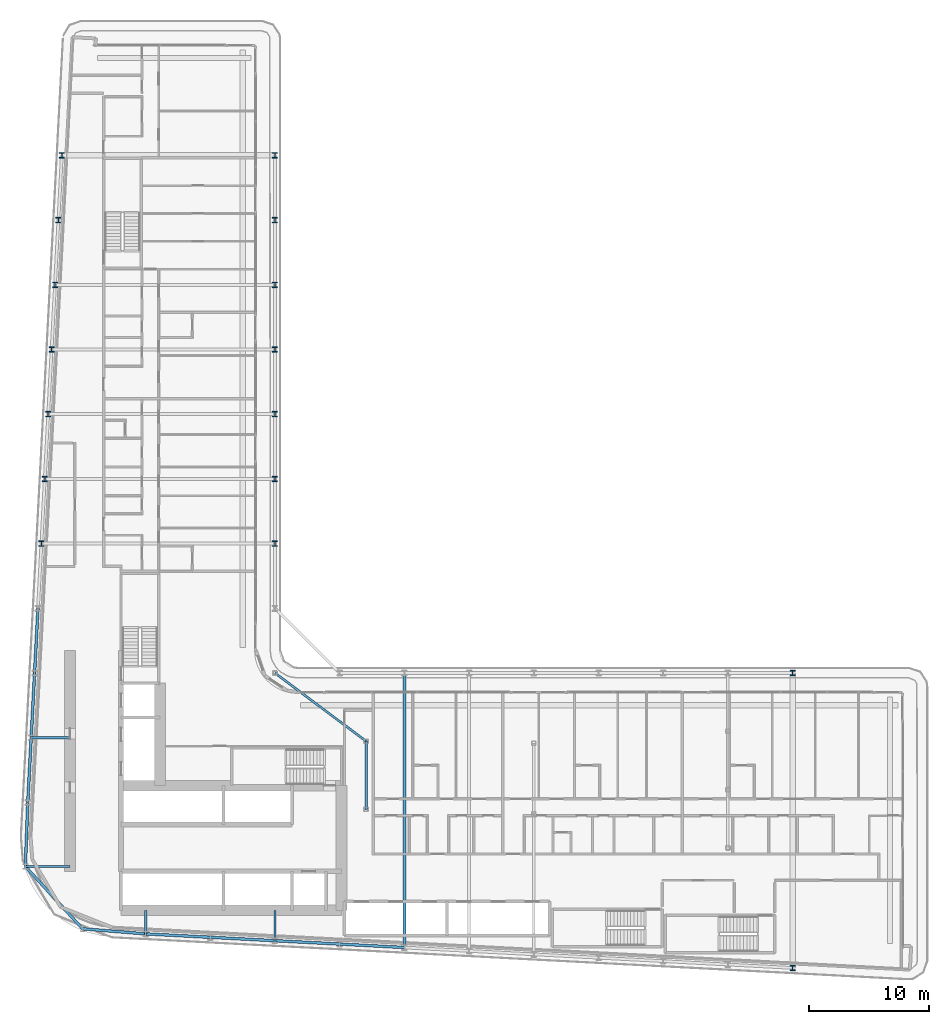
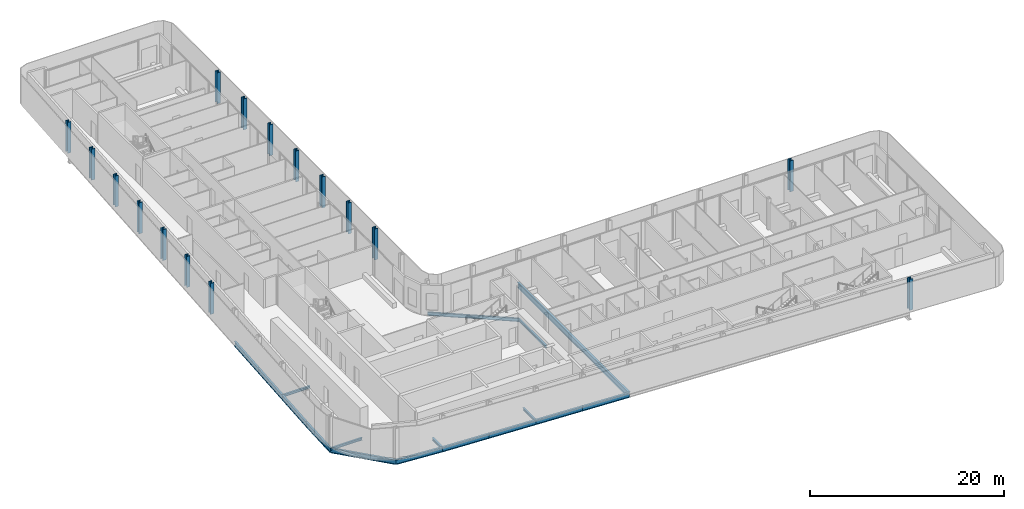
# One storey, part 3 of 29: 17 beams, 16 columns.
"""IFC4 building model written with IfcOpenShell, lengths in metres."""

from ifc_helpers import new_model, si_unit, direction, frame, origin, origin_2d, place, context, subcontext, project, spatial, i_section, extrude, material, material_profile, profile_set, type_object, element, save


model = new_model("IFC4")

# Units and contexts
model_context = context("Model", 3, precision=1e-05, world=origin(), true_north=direction((0.0, 1.0)))
body_context = subcontext(model_context, "Body", "Model", "MODEL_VIEW")
ifc_project = project(units=[si_unit("LENGTHUNIT", "METRE"), si_unit("AREAUNIT", "SQUARE_METRE"), si_unit("VOLUMEUNIT", "CUBIC_METRE"), si_unit("PLANEANGLEUNIT", "RADIAN"), si_unit("MASSUNIT", "GRAM", prefix="KILO")], contexts=[model_context])

# Site, building, storey
site_placement = place(None, origin())
site = spatial("IfcSite", under=ifc_project, at=site_placement, CompositionType="ELEMENT")
building_placement = place(site_placement, origin())
building = spatial("IfcBuilding", under=site, at=building_placement, Name="Kheshtan School and Residences Tower", CompositionType="ELEMENT")
storey_placement = place(building_placement, frame((0.0, 0.0, 117.5)))
storey = spatial("IfcBuildingStorey", under=building, at=storey_placement, Name="L27", CompositionType="ELEMENT", Elevation=117.5)

# Columns
ifc_material = material(Name="Steel ASTM A992 Grade 50", Category="steel")
ifc_material_profile_1 = material_profile(ifc_material, i_section(OverallWidth=0.41796875, OverallDepth=0.455078125, WebThickness=0.042236328125, FlangeThickness=0.067626953125, FilletRadius=0.013671875, at=origin_2d()), Name="W360x551")
ifc_profile_set_1 = profile_set([ifc_material_profile_1], Name="Steel ASTM A992 Grade 50")
column_type = type_object("IfcColumnType", Name="Column C2 W360x551 ASTM A992 Grade 50", PredefinedType="COLUMN", material=ifc_profile_set_1)
for number, where, z_axis, x_axis, name in (
    (1, (90.800048828125, 20.989990234375, 0.0), (0.0, 0.0, 1.0), (1.0, 0.0, 0.0), "Column C006"),
    (2, (90.800048828125, 45.60009765625, 0.0), (0.0, 0.0, 1.0), (1.0, 0.0, 0.0), "Column C068"),
    (3, (28.10595703125, 56.39990234375, 0.0), (0.0, 0.0, 1.0), (1.0, 0.0, 0.0), "Column C080"),
    (4, (47.60009765625, 56.39990234375, 0.0), (0.0, 0.0, 1.0), (1.0, 0.0, 0.0), "Column C081"),
    (5, (28.389892578125, 61.800048828125, 0.0), (0.0, 0.0, 1.0), (1.0, 0.0, 0.0), "Column C082"),
    (6, (47.60009765625, 61.800048828125, 0.0), (0.0, 0.0, 1.0), (1.0, 0.0, 0.0), "Column C083"),
    (7, (28.674072265625, 67.199951171875, 0.0), (0.0, 0.0, 1.0), (1.0, 0.0, 0.0), "Column C084"),
    (8, (47.60009765625, 67.199951171875, 0.0), (0.0, 0.0, 1.0), (1.0, 0.0, 0.0), "Column C085"),
    (9, (28.9580078125, 72.60009765625, 0.0), (0.0, 0.0, 1.0), (1.0, 0.0, 0.0), "Column C086"),
    (10, (47.60009765625, 72.60009765625, 0.0), (0.0, 0.0, 1.0), (1.0, 0.0, 0.0), "Column C087"),
    (11, (29.242919921875, 78.0, 0.0), (0.0, 0.0, 1.0), (1.0, 0.0, 0.0), "Column C088"),
    (12, (47.60009765625, 78.0, 0.0), (0.0, 0.0, 1.0), (1.0, 0.0, 0.0), "Column C089"),
    (13, (29.527099609375, 83.39990234375, 0.0), (0.0, 0.0, 1.0), (1.0, 0.0, 0.0), "Column C090"),
    (14, (47.60009765625, 83.39990234375, 0.0), (0.0, 0.0, 1.0), (1.0, 0.0, 0.0), "Column C091"),
    (15, (29.81103515625, 88.800048828125, 0.0), (0.0, 0.0, 1.0), (1.0, 0.0, 0.0), "Column C098"),
    (16, (47.60009765625, 88.800048828125, 0.0), (0.0, 0.0, 1.0), (1.0, 0.0, 0.0), "Column C099"),
):
    element("IfcColumn", number, at=place(storey_placement, frame(where, z_axis=z_axis, x_axis=x_axis)), inside=storey, type_object=column_type, Name=name, PredefinedType="COLUMN", context=body_context, shape_type="SweptSolid", body=[
        extrude(i_section(OverallWidth=0.41796875, OverallDepth=0.455078125, WebThickness=0.042236328125, FlangeThickness=0.067626953125, FilletRadius=0.013671875, at=origin_2d()), origin(), (0.0, 0.0, 1.0), 3.89990234375),
    ])

# Beams
ifc_material_profile_2 = material_profile(ifc_material, i_section(OverallWidth=0.202880859375, OverallDepth=0.302978515625, WebThickness=0.007568359375, FlangeThickness=0.01318359375, FilletRadius=0.009033203125, at=origin_2d()), Name="W310x60")
ifc_profile_set_2 = profile_set([ifc_material_profile_2], Name="Steel ASTM A992 Grade 50")
beam_type_1 = type_object("IfcBeamType", Name="Beam FB1 W310x60 ASTM A992 Grade 50", PredefinedType="BEAM", material=ifc_profile_set_2)
beam_1_placement = place(storey_placement, frame((47.60009765625, 23.263916015625, -0.301513671875), z_axis=(0.0, 1.0, 0.0), x_axis=(-1.0, 0.0, 0.0)))
element("IfcBeam", 17, at=beam_1_placement, inside=storey, type_object=beam_type_1, Name="Floor beam C020", PredefinedType="BEAM", context=body_context, shape_type="SweptSolid", body=[
    extrude(i_section(OverallWidth=0.202880859375, OverallDepth=0.302978515625, WebThickness=0.007568359375, FlangeThickness=0.01318359375, FilletRadius=0.009033203125, at=origin_2d()), origin(), (0.0, 0.0, 1.0), 2.5361328125),
])
beam_2_placement = place(storey_placement, frame((36.800048828125, 23.83203125, -0.301513671875), z_axis=(0.0, 1.0, 0.0), x_axis=(-1.0, 0.0, 0.0)))
element("IfcBeam", 18, at=beam_2_placement, inside=storey, type_object=beam_type_1, Name="Floor beam C022", PredefinedType="BEAM", context=body_context, shape_type="SweptSolid", body=[
    extrude(i_section(OverallWidth=0.202880859375, OverallDepth=0.302978515625, WebThickness=0.007568359375, FlangeThickness=0.01318359375, FilletRadius=0.009033203125, at=origin_2d()), origin(), (0.0, 0.0, 1.0), 1.968017578125),
])
beam_3_placement = place(storey_placement, frame((26.76904296875, 29.4541015625, -0.301513671875), z_axis=(1.0, 0.0, 0.0), x_axis=(0.0, 1.0, 0.0)))
element("IfcBeam", 19, at=beam_3_placement, inside=storey, type_object=beam_type_1, Name="Floor beam C038", PredefinedType="BEAM", context=body_context, shape_type="SweptSolid", body=[
    extrude(i_section(OverallWidth=0.202880859375, OverallDepth=0.302978515625, WebThickness=0.007568359375, FlangeThickness=0.01318359375, FilletRadius=0.009033203125, at=origin_2d()), origin(), (0.0, 0.0, 1.0), 3.73095703125),
])
beam_4_placement = place(storey_placement, frame((27.2529296875, 40.199951171875, -0.301513671875), z_axis=(1.0, 0.0, 0.0), x_axis=(0.0, 1.0, 0.0)))
element("IfcBeam", 20, at=beam_4_placement, inside=storey, type_object=beam_type_1, Name="Floor beam C056", PredefinedType="BEAM", context=body_context, shape_type="SweptSolid", body=[
    extrude(i_section(OverallWidth=0.202880859375, OverallDepth=0.302978515625, WebThickness=0.007568359375, FlangeThickness=0.01318359375, FilletRadius=0.009033203125, at=origin_2d()), origin(), (0.0, 0.0, 1.0), 3.2470703125),
])
beam_5_placement = place(storey_placement, frame((55.199951171875, 34.23193359375, -0.301513671875), z_axis=(0.0, 1.0, 0.0), x_axis=(-1.0, 0.0, 0.0)))
element("IfcBeam", 21, at=beam_5_placement, inside=storey, type_object=beam_type_1, Name="Floor beam IC", PredefinedType="BEAM", context=body_context, shape_type="SweptSolid", body=[
    extrude(i_section(OverallWidth=0.202880859375, OverallDepth=0.302978515625, WebThickness=0.007568359375, FlangeThickness=0.01318359375, FilletRadius=0.009033203125, at=origin_2d()), origin(), (0.0, 0.0, 1.0), 5.68408203125),
])
ifc_material_profile_3 = material_profile(ifc_material, i_section(OverallWidth=0.180908203125, OverallDepth=0.4169921875, WebThickness=0.010986328125, FlangeThickness=0.018310546875, FilletRadius=0.012451171875, at=origin_2d()), Name="W410x85")
ifc_profile_set_3 = profile_set([ifc_material_profile_3], Name="Steel ASTM A992 Grade 50")
beam_type_2 = type_object("IfcBeamType", Name="Beam FB3 W410x85 ASTM A992 Grade 50", PredefinedType="BEAM", material=ifc_profile_set_3)
beam_6_placement = place(storey_placement, frame((47.60009765625, 45.60009765625, -0.3583984375), z_axis=(0.800798828004, -0.598933416222, 0.0), x_axis=(0.598933416222, 0.800798828004, 0.0)))
element("IfcBeam", 22, at=beam_6_placement, inside=storey, type_object=beam_type_2, Name="Floor beam IC", PredefinedType="BEAM", context=body_context, shape_type="SweptSolid", body=[
    extrude(i_section(OverallWidth=0.180908203125, OverallDepth=0.4169921875, WebThickness=0.010986328125, FlangeThickness=0.018310546875, FilletRadius=0.012451171875, at=origin_2d()), origin(), (0.0, 0.0, 1.0), 9.490234375),
])
ifc_material_profile_4 = material_profile(ifc_material, i_section(OverallWidth=0.2529296875, OverallDepth=0.677978515625, WebThickness=0.01171875, FlangeThickness=0.016357421875, FilletRadius=0.0146484375, at=origin_2d()), Name="W690x125")
ifc_profile_set_4 = profile_set([ifc_material_profile_4], Name="Steel ASTM A992 Grade 50")
beam_type_3 = type_object("IfcBeamType", Name="Beam FB6 W690x125 ASTM A992 Grade 50", PredefinedType="BEAM", material=ifc_profile_set_4)
beam_7_placement = place(storey_placement, frame((58.39990234375, 22.695068359375, -0.489013671875), z_axis=(0.0, 1.0, 0.0), x_axis=(-1.0, 0.0, 0.0)))
element("IfcBeam", 23, at=beam_7_placement, inside=storey, type_object=beam_type_3, Name="Floor beam C018", PredefinedType="BEAM", context=body_context, shape_type="SweptSolid", body=[
    extrude(i_section(OverallWidth=0.2529296875, OverallDepth=0.677978515625, WebThickness=0.01171875, FlangeThickness=0.016357421875, FilletRadius=0.0146484375, at=origin_2d()), origin(), (0.0, 0.0, 1.0), 22.905029296875),
])
ifc_material_profile_5 = material_profile(ifc_material, i_section(OverallWidth=0.22802734375, OverallDepth=0.60302734375, WebThickness=0.010498046875, FlangeThickness=0.014892578125, FilletRadius=0.013427734375, at=origin_2d()), Name="W610x101")
ifc_profile_set_5 = profile_set([ifc_material_profile_5], Name="Steel ASTM A992 Grade 50")
beam_type_4 = type_object("IfcBeamType", Name="Beam SP2 W610x101 ASTM A992 Grade 50", PredefinedType="BEAM", material=ifc_profile_set_5)
for number, where, z_axis, x_axis, name in (
    (24, (58.39990234375, 22.695068359375, -0.451416015625), (-0.998610961136, 0.052689166816, 0.0), (-0.052689166816, -0.998610961136, 0.0), "Spandrel beam C018-C019"),
    (25, (53.0, 22.97998046875, -0.451416015625), (-0.998620447272, 0.05250906864, 0.0), (-0.05250906864, -0.998620447272, 0.0), "Spandrel beam C019-C020"),
):
    element("IfcBeam", number, at=place(storey_placement, frame(where, z_axis=z_axis, x_axis=x_axis)), inside=storey, type_object=beam_type_4, Name=name, PredefinedType="BEAM", context=body_context, shape_type="SweptSolid", body=[
        extrude(i_section(OverallWidth=0.22802734375, OverallDepth=0.60302734375, WebThickness=0.010498046875, FlangeThickness=0.014892578125, FilletRadius=0.013427734375, at=origin_2d()), origin(), (0.0, 0.0, 1.0), 5.407470703125),
    ])
beam_8_placement = place(storey_placement, frame((47.60009765625, 23.263916015625, -0.451416015625), z_axis=(-0.998618203458, 0.052551724256, 0.0), x_axis=(-0.052551724256, -0.998618203458, 0.0)))
element("IfcBeam", 26, at=beam_8_placement, inside=storey, type_object=beam_type_4, Name="Spandrel beam C020-C021", PredefinedType="BEAM", context=body_context, shape_type="SweptSolid", body=[
    extrude(i_section(OverallWidth=0.22802734375, OverallDepth=0.60302734375, WebThickness=0.010498046875, FlangeThickness=0.014892578125, FilletRadius=0.013427734375, at=origin_2d()), origin(), (0.0, 0.0, 1.0), 5.40771484375),
])
beam_9_placement = place(storey_placement, frame((42.199951171875, 23.548095703125, -0.451416015625), z_axis=(-0.998620447272, 0.05250906864, 0.0), x_axis=(-0.05250906864, -0.998620447272, 0.0)))
element("IfcBeam", 27, at=beam_9_placement, inside=storey, type_object=beam_type_4, Name="Spandrel beam C021-C022", PredefinedType="BEAM", context=body_context, shape_type="SweptSolid", body=[
    extrude(i_section(OverallWidth=0.22802734375, OverallDepth=0.60302734375, WebThickness=0.010498046875, FlangeThickness=0.014892578125, FilletRadius=0.013427734375, at=origin_2d()), origin(), (0.0, 0.0, 1.0), 5.407470703125),
])
beam_10_placement = place(storey_placement, frame((36.800048828125, 23.83203125, -0.451416015625), z_axis=(-0.996748565693, 0.08057479003, 0.0), x_axis=(-0.08057479003, -0.996748565693, 0.0)))
element("IfcBeam", 28, at=beam_10_placement, inside=storey, type_object=beam_type_4, Name="Spandrel beam C022-C025", PredefinedType="BEAM", context=body_context, shape_type="SweptSolid", body=[
    extrude(i_section(OverallWidth=0.22802734375, OverallDepth=0.60302734375, WebThickness=0.010498046875, FlangeThickness=0.014892578125, FilletRadius=0.013427734375, at=origin_2d()), origin(), (0.0, 0.0, 1.0), 5.275146484375),
])
beam_11_placement = place(storey_placement, frame((31.5419921875, 24.257080078125, -0.451416015625), z_axis=(-0.676418406149, 0.736517576045, 0.0), x_axis=(-0.736517576045, -0.676418406149, 0.0)))
element("IfcBeam", 29, at=beam_11_placement, inside=storey, type_object=beam_type_4, Name="Spandrel beam C025-C038", PredefinedType="BEAM", context=body_context, shape_type="SweptSolid", body=[
    extrude(i_section(OverallWidth=0.22802734375, OverallDepth=0.60302734375, WebThickness=0.010498046875, FlangeThickness=0.014892578125, FilletRadius=0.013427734375, at=origin_2d()), origin(), (0.0, 0.0, 1.0), 7.05615234375),
])
beam_12_placement = place(storey_placement, frame((26.76904296875, 29.4541015625, -0.451416015625), z_axis=(0.037376249491, 0.999301263871, 0.0), x_axis=(-0.999301263871, 0.037376249491, 0.0)))
element("IfcBeam", 30, at=beam_12_placement, inside=storey, type_object=beam_type_4, Name="Spandrel beam C038-C052", PredefinedType="BEAM", context=body_context, shape_type="SweptSolid", body=[
    extrude(i_section(OverallWidth=0.22802734375, OverallDepth=0.60302734375, WebThickness=0.010498046875, FlangeThickness=0.014892578125, FilletRadius=0.013427734375, at=origin_2d()), origin(), (0.0, 0.0, 1.0), 5.349609375),
])
beam_13_placement = place(storey_placement, frame((26.968994140625, 34.800048828125, -0.451416015625), z_axis=(0.05250906864, 0.998620447272, 0.0), x_axis=(-0.998620447272, 0.05250906864, 0.0)))
element("IfcBeam", 31, at=beam_13_placement, inside=storey, type_object=beam_type_4, Name="Spandrel beam C052-C056", PredefinedType="BEAM", context=body_context, shape_type="SweptSolid", body=[
    extrude(i_section(OverallWidth=0.22802734375, OverallDepth=0.60302734375, WebThickness=0.010498046875, FlangeThickness=0.014892578125, FilletRadius=0.013427734375, at=origin_2d()), origin(), (0.0, 0.0, 1.0), 5.407470703125),
])
beam_14_placement = place(storey_placement, frame((27.2529296875, 40.199951171875, -0.451416015625), z_axis=(0.052551724256, 0.998618203458, 0.0), x_axis=(-0.998618203458, 0.052551724256, 0.0)))
element("IfcBeam", 32, at=beam_14_placement, inside=storey, type_object=beam_type_4, Name="Spandrel beam C056-C059", PredefinedType="BEAM", context=body_context, shape_type="SweptSolid", body=[
    extrude(i_section(OverallWidth=0.22802734375, OverallDepth=0.60302734375, WebThickness=0.010498046875, FlangeThickness=0.014892578125, FilletRadius=0.013427734375, at=origin_2d()), origin(), (0.0, 0.0, 1.0), 5.40771484375),
])
beam_15_placement = place(storey_placement, frame((27.537109375, 45.60009765625, -0.451416015625), z_axis=(0.052689166816, 0.998610961136, 0.0), x_axis=(-0.998610961136, 0.052689166816, 0.0)))
element("IfcBeam", 33, at=beam_15_placement, inside=storey, type_object=beam_type_4, Name="Spandrel beam C059-C078", PredefinedType="BEAM", context=body_context, shape_type="SweptSolid", body=[
    extrude(i_section(OverallWidth=0.22802734375, OverallDepth=0.60302734375, WebThickness=0.010498046875, FlangeThickness=0.014892578125, FilletRadius=0.013427734375, at=origin_2d()), origin(), (0.0, 0.0, 1.0), 5.407470703125),
])

save(model, "model.ifc")
